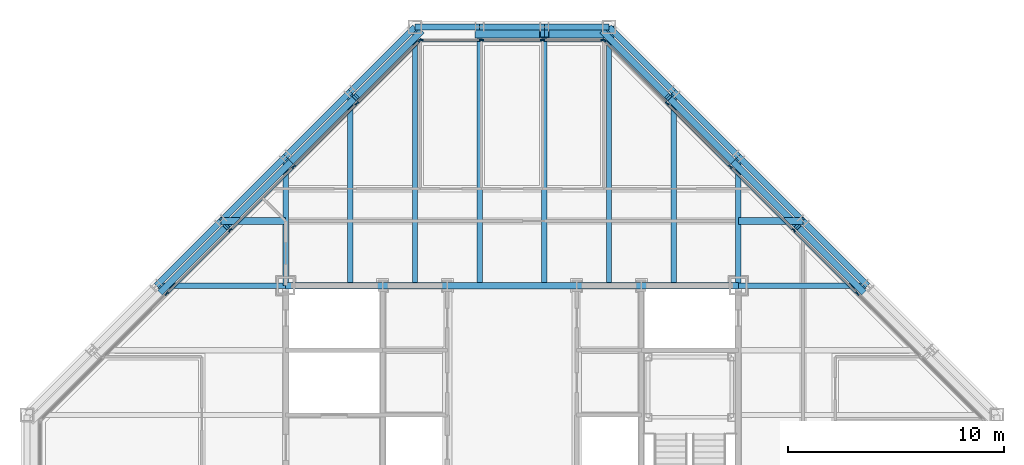
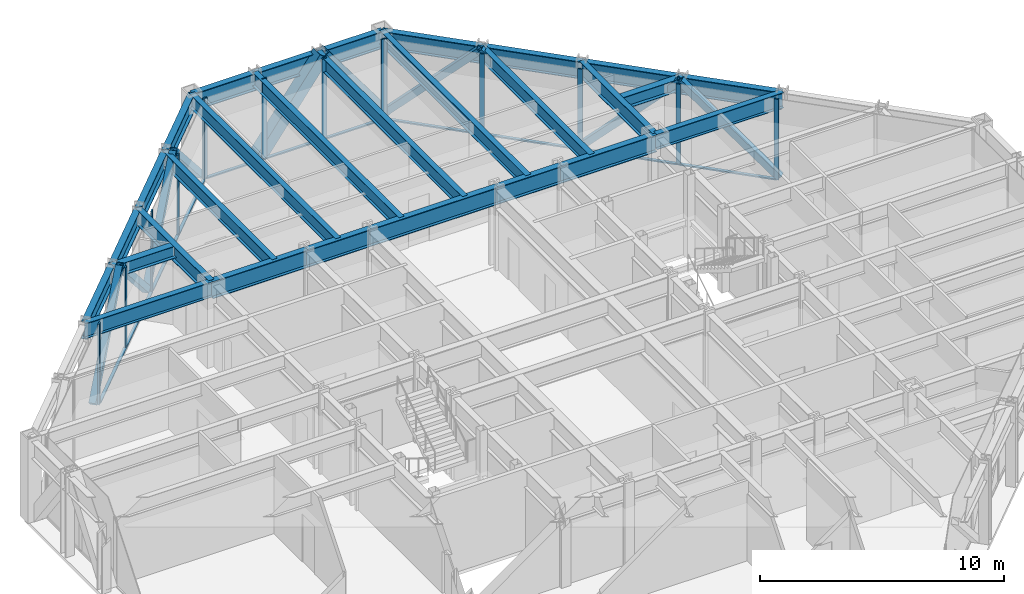
# One storey, part 8 of 15: 35 members, 28 beams, 3 elements without a shape of their own.
"""IFC4 building model written with IfcOpenShell, lengths in metres."""

from ifc_helpers import new_model, si_unit, direction, frame, origin, origin_2d, place, context, subcontext, project, spatial, rectangle, hollow_rectangle, i_section, extrude, material, layer, layer_set, material_profile, profile_set, type_object, element, aggregate, save


model = new_model("IFC4")

# Units and contexts
model_context = context("Model", 3, precision=1e-05, world=origin(), true_north=direction((0.0, 1.0)))
body_context = subcontext(model_context, "Body", "Model", "MODEL_VIEW")
ifc_project = project(units=[si_unit("LENGTHUNIT", "METRE"), si_unit("AREAUNIT", "SQUARE_METRE"), si_unit("VOLUMEUNIT", "CUBIC_METRE"), si_unit("PLANEANGLEUNIT", "RADIAN"), si_unit("MASSUNIT", "GRAM", prefix="KILO")], contexts=[model_context])

# Site, building, storey
site_placement = place(None, origin())
site = spatial("IfcSite", under=ifc_project, at=site_placement, CompositionType="ELEMENT")
building_placement = place(site_placement, origin())
building = spatial("IfcBuilding", under=site, at=building_placement, Name="Chuquiago Exchange Tower", CompositionType="ELEMENT")
storey_placement = place(building_placement, frame((0.0, 0.0, 279.0)))
storey = spatial("IfcBuildingStorey", under=building, at=storey_placement, Name="L62", CompositionType="ELEMENT", Elevation=279.0)

# Beams
ifc_material_1 = material(Name="Steel ASTM A992", Category="steel")
ifc_material_profile_1 = material_profile(ifc_material_1, i_section(OverallWidth=0.25390625, OverallDepth=0.683349609375, WebThickness=0.012451171875, FlangeThickness=0.018798828125, at=origin_2d()), Name="W27X94")
ifc_profile_set_1 = profile_set([ifc_material_profile_1], Name="Steel ASTM A992")
beam_type_1 = type_object("IfcBeamType", Name="B1 W27X94", PredefinedType="BEAM", material=ifc_profile_set_1)
beam_1_placement = place(storey_placement, frame((15.0, 33.0, 3.698486328125), z_axis=(0.0, 1.0, 0.0), x_axis=(-1.0, 0.0, 0.0)))
element("IfcBeam", 1, at=beam_1_placement, inside=storey, type_object=beam_type_1, Name="FB-L63-infill-15_33-15_42-0", PredefinedType="BEAM", context=body_context, shape_type="SweptSolid", body=[
    extrude(i_section(OverallWidth=0.25390625, OverallDepth=0.683349609375, WebThickness=0.012451171875, FlangeThickness=0.018798828125, at=origin_2d()), origin(), (0.0, 0.0, 1.0), 9.0),
])
for number, where, z_axis, x_axis, name in (
    (2, (18.0, 33.0, 3.698486328125), (0.0, 1.0, 0.0), (-1.0, 0.0, 0.0), "FB-L63-infill-18_33-18_45-0"),
    (3, (21.0, 33.0, 3.698486328125), (0.0, 1.0, 0.0), (-1.0, 0.0, 0.0), "FB-L63-infill-21_33-21_45-0"),
    (4, (24.0, 33.0, 3.698486328125), (0.0, 1.0, 0.0), (-1.0, 0.0, 0.0), "FB-L63-infill-24_33-24_45-0"),
    (5, (27.0, 33.0, 3.698486328125), (0.0, 1.0, 0.0), (-1.0, 0.0, 0.0), "FB-L63-infill-27_33-27_45-0"),
):
    element("IfcBeam", number, at=place(storey_placement, frame(where, z_axis=z_axis, x_axis=x_axis)), inside=storey, type_object=beam_type_1, Name=name, PredefinedType="BEAM", context=body_context, shape_type="SweptSolid", body=[
        extrude(i_section(OverallWidth=0.25390625, OverallDepth=0.683349609375, WebThickness=0.012451171875, FlangeThickness=0.018798828125, at=origin_2d()), origin(), (0.0, 0.0, 1.0), 12.0),
    ])
beam_2_placement = place(storey_placement, frame((30.0, 33.0, 3.698486328125), z_axis=(0.0, 1.0, 0.0), x_axis=(-1.0, 0.0, 0.0)))
element("IfcBeam", 6, at=beam_2_placement, inside=storey, type_object=beam_type_1, Name="FB-L63-infill-30_33-30_42-0", PredefinedType="BEAM", context=body_context, shape_type="SweptSolid", body=[
    extrude(i_section(OverallWidth=0.25390625, OverallDepth=0.683349609375, WebThickness=0.012451171875, FlangeThickness=0.018798828125, at=origin_2d()), origin(), (0.0, 0.0, 1.0), 9.0),
])
ifc_material_2 = material(Name="Steel ASTM A992", Category="steel")
ifc_material_profile_2 = material_profile(ifc_material_2, i_section(OverallWidth=0.3251953125, OverallDepth=0.612060546875, WebThickness=0.0126953125, FlangeThickness=0.01904296875, at=origin_2d()), Name="W24X104")
ifc_profile_set_2 = profile_set([ifc_material_profile_2], Name="Steel ASTM A992")
beam_type_2 = type_object("IfcBeamType", Name="B2 W24X104", PredefinedType="BEAM", material=ifc_profile_set_2)
for number, where, z_axis, x_axis, name in (
    (7, (12.0, 36.0, 3.73388671875), (-1.0, 0.0, 0.0), (0.0, -1.0, 0.0), "FB-L63-corner-12_36-9_36-0"),
    (8, (33.0, 36.0, 3.73388671875), (1.0, 0.0, 0.0), (0.0, 1.0, 0.0), "FB-L63-corner-33_36-36_36-0"),
):
    element("IfcBeam", number, at=place(storey_placement, frame(where, z_axis=z_axis, x_axis=x_axis)), inside=storey, type_object=beam_type_2, Name=name, PredefinedType="BEAM", context=body_context, shape_type="SweptSolid", body=[
        extrude(i_section(OverallWidth=0.3251953125, OverallDepth=0.612060546875, WebThickness=0.0126953125, FlangeThickness=0.01904296875, at=origin_2d()), origin(), (0.0, 0.0, 1.0), 3.0),
    ])
ifc_material_3 = material(Name="Steel ASTM A992", Category="steel")
ifc_material_profile_3 = material_profile(ifc_material_3, i_section(OverallWidth=0.2919921875, OverallDepth=0.8583984375, WebThickness=0.01708984375, FlangeThickness=0.031005859375, at=origin_2d()), Name="W33X169")
ifc_profile_set_3 = profile_set([ifc_material_profile_3], Name="Steel ASTM A992")
beam_type_3 = type_object("IfcBeamType", Name="B3 W33X169", PredefinedType="BEAM", material=ifc_profile_set_3)
beam_3_placement = place(storey_placement, frame((12.0, 33.0, 3.610595703125), z_axis=(1.0, 0.0, 0.0), x_axis=(0.0, 1.0, 0.0)))
element("IfcBeam", 9, at=beam_3_placement, inside=storey, type_object=beam_type_3, Name="CB-L63-12_33-16.5_33", PredefinedType="BEAM", context=body_context, shape_type="SweptSolid", body=[
    extrude(i_section(OverallWidth=0.2919921875, OverallDepth=0.8583984375, WebThickness=0.01708984375, FlangeThickness=0.031005859375, at=origin_2d()), origin(), (0.0, 0.0, 1.0), 4.5),
])
beam_4_placement = place(storey_placement, frame((16.5, 33.0, 3.610595703125), z_axis=(1.0, 0.0, 0.0), x_axis=(0.0, 1.0, 0.0)))
element("IfcBeam", 10, at=beam_4_placement, inside=storey, type_object=beam_type_3, Name="CB-L63-16.5_33-19.5_33", PredefinedType="BEAM", context=body_context, shape_type="SweptSolid", body=[
    extrude(i_section(OverallWidth=0.2919921875, OverallDepth=0.8583984375, WebThickness=0.01708984375, FlangeThickness=0.031005859375, at=origin_2d()), origin(), (0.0, 0.0, 1.0), 3.0),
])
beam_5_placement = place(storey_placement, frame((19.5, 33.0, 3.610595703125), z_axis=(1.0, 0.0, 0.0), x_axis=(0.0, 1.0, 0.0)))
element("IfcBeam", 11, at=beam_5_placement, inside=storey, type_object=beam_type_3, Name="CB-L63-19.5_33-25.5_33", PredefinedType="BEAM", context=body_context, shape_type="SweptSolid", body=[
    extrude(i_section(OverallWidth=0.2919921875, OverallDepth=0.8583984375, WebThickness=0.01708984375, FlangeThickness=0.031005859375, at=origin_2d()), origin(), (0.0, 0.0, 1.0), 6.0),
])
beam_6_placement = place(storey_placement, frame((25.5, 33.0, 3.610595703125), z_axis=(1.0, 0.0, 0.0), x_axis=(0.0, 1.0, 0.0)))
element("IfcBeam", 12, at=beam_6_placement, inside=storey, type_object=beam_type_3, Name="CB-L63-25.5_33-28.5_33", PredefinedType="BEAM", context=body_context, shape_type="SweptSolid", body=[
    extrude(i_section(OverallWidth=0.2919921875, OverallDepth=0.8583984375, WebThickness=0.01708984375, FlangeThickness=0.031005859375, at=origin_2d()), origin(), (0.0, 0.0, 1.0), 3.0),
])
beam_7_placement = place(storey_placement, frame((28.5, 33.0, 3.610595703125), z_axis=(1.0, 0.0, 0.0), x_axis=(0.0, 1.0, 0.0)))
element("IfcBeam", 13, at=beam_7_placement, inside=storey, type_object=beam_type_3, Name="CB-L63-28.5_33-33_33", PredefinedType="BEAM", context=body_context, shape_type="SweptSolid", body=[
    extrude(i_section(OverallWidth=0.2919921875, OverallDepth=0.8583984375, WebThickness=0.01708984375, FlangeThickness=0.031005859375, at=origin_2d()), origin(), (0.0, 0.0, 1.0), 4.5),
])

# Curtain wall, members
ifc_material_4 = material(Name="Aluminium curtain wall system", Category="aluminium")
ifc_layer_1 = layer(ifc_material_4, 0.22509765625)
ifc_layer_set_1 = layer_set([ifc_layer_1], Name="CW2 office curtain wall")
curtain_wall_type_1 = type_object("IfcCurtainWallType", Name="CW2 office curtain wall", PredefinedType="NOTDEFINED", material=ifc_layer_set_1)
curtain_wall_1_placement = place(storey_placement, origin())
curtain_wall_1 = element("IfcCurtainWall", 14, at=curtain_wall_1_placement, inside=storey, type_object=curtain_wall_type_1, Name="CW2 curtain wall L62", PredefinedType="NOTDEFINED")
ifc_material_5 = material(Name="Aluminium mullion, pale anodised", Category="aluminium")
ifc_material_profile_4 = material_profile(ifc_material_5, rectangle(XDim=0.06494140625, YDim=0.22509765625, at=origin_2d()), Name="AL 65x225")
ifc_profile_set_4 = profile_set([ifc_material_profile_4], Name="Aluminium mullion, pale anodised")
member_type_1 = type_object("IfcMemberType", Name="CW2-M mullion 65x225", PredefinedType="MULLION", material=ifc_profile_set_4)
member_1_placement = place(storey_placement, frame((26.718994140625, 44.39990234375, 0.0), z_axis=(0.0, 0.0, 1.0), x_axis=(0.0, -1.0, 0.0)))
member_1 = element("IfcMember", 15, at=member_1_placement, type_object=member_type_1, Name="CW2 mullion 1", PredefinedType="MULLION", context=body_context, shape_type="SweptSolid", body=[
    extrude(rectangle(XDim=0.06494140625, YDim=0.22509765625, at=origin_2d()), origin(), (0.0, 0.0, 1.0), 4.0400390625),
])
member_2_placement = place(storey_placement, frame((23.917236328125, 44.39990234375, 0.0), z_axis=(0.0, 0.0, 1.0), x_axis=(0.0, -1.0, 0.0)))
member_2 = element("IfcMember", 16, at=member_2_placement, type_object=member_type_1, Name="CW2 mullion 2", PredefinedType="MULLION", context=body_context, shape_type="SweptSolid", body=[
    extrude(rectangle(XDim=0.06494140625, YDim=0.22509765625, at=origin_2d()), origin(), (0.0, 0.0, 1.0), 4.0400390625),
])
member_3_placement = place(storey_placement, frame((21.082763671875, 44.39990234375, 0.0), z_axis=(0.0, 0.0, 1.0), x_axis=(0.0, -1.0, 0.0)))
member_3 = element("IfcMember", 17, at=member_3_placement, type_object=member_type_1, Name="CW2 mullion 3", PredefinedType="MULLION", context=body_context, shape_type="SweptSolid", body=[
    extrude(rectangle(XDim=0.06494140625, YDim=0.22509765625, at=origin_2d()), origin(), (0.0, 0.0, 1.0), 4.0400390625),
])
member_4_placement = place(storey_placement, frame((18.281005859375, 44.39990234375, 0.0), z_axis=(0.0, 0.0, 1.0), x_axis=(0.0, -1.0, 0.0)))
member_4 = element("IfcMember", 18, at=member_4_placement, type_object=member_type_1, Name="CW2 mullion 4", PredefinedType="MULLION", context=body_context, shape_type="SweptSolid", body=[
    extrude(rectangle(XDim=0.06494140625, YDim=0.22509765625, at=origin_2d()), origin(), (0.0, 0.0, 1.0), 4.0400390625),
])
ifc_material_6 = material(Name="Aluminium transom, pale anodised", Category="aluminium")
ifc_material_profile_5 = material_profile(ifc_material_6, rectangle(XDim=0.139892578125, YDim=0.06494140625, at=origin_2d()), Name="AL 140x65")
ifc_profile_set_5 = profile_set([ifc_material_profile_5], Name="Aluminium transom, pale anodised")
member_type_2 = type_object("IfcMemberType", Name="CW2-T transom 65x140", PredefinedType="MULLION", material=ifc_profile_set_5)
member_5_placement = place(storey_placement, frame((26.6865234375, 44.39990234375, 0.032470703125), z_axis=(-1.0, 0.0, 0.0), x_axis=(0.0, -1.0, 0.0)))
member_5 = element("IfcMember", 19, at=member_5_placement, type_object=member_type_2, Name="CW2 transom 1.1", PredefinedType="MULLION", context=body_context, shape_type="SweptSolid", body=[
    extrude(rectangle(XDim=0.139892578125, YDim=0.06494140625, at=origin_2d()), origin(), (0.0, 0.0, 1.0), 2.73681640625),
])
member_6_placement = place(storey_placement, frame((23.884765625, 44.39990234375, 0.032470703125), z_axis=(-1.0, 0.0, 0.0), x_axis=(0.0, -1.0, 0.0)))
member_6 = element("IfcMember", 20, at=member_6_placement, type_object=member_type_2, Name="CW2 transom 2.1", PredefinedType="MULLION", context=body_context, shape_type="SweptSolid", body=[
    extrude(rectangle(XDim=0.139892578125, YDim=0.06494140625, at=origin_2d()), origin(), (0.0, 0.0, 1.0), 2.76953125),
])
member_7_placement = place(storey_placement, frame((21.05029296875, 44.39990234375, 0.032470703125), z_axis=(-1.0, 0.0, 0.0), x_axis=(0.0, -1.0, 0.0)))
member_7 = element("IfcMember", 21, at=member_7_placement, type_object=member_type_2, Name="CW2 transom 3.1", PredefinedType="MULLION", context=body_context, shape_type="SweptSolid", body=[
    extrude(rectangle(XDim=0.139892578125, YDim=0.06494140625, at=origin_2d()), origin(), (0.0, 0.0, 1.0), 2.73681640625),
])
aggregate(curtain_wall_1, [member_1, member_2, member_3, member_4, member_5, member_6, member_7])

ifc_material_7 = material(Name="Aluminium curtain wall system", Category="aluminium")
ifc_layer_2 = layer(ifc_material_7, 0.199951171875)
ifc_layer_set_2 = layer_set([ifc_layer_2], Name="CW3 facet curtain wall")
curtain_wall_type_2 = type_object("IfcCurtainWallType", Name="CW3 facet curtain wall", PredefinedType="NOTDEFINED", material=ifc_layer_set_2)
curtain_wall_2_placement = place(storey_placement, origin())
curtain_wall_2 = element("IfcCurtainWall", 22, at=curtain_wall_2_placement, inside=storey, type_object=curtain_wall_type_2, Name="CW3 curtain wall L62", PredefinedType="NOTDEFINED")
ifc_material_8 = material(Name="Aluminium mullion, pale anodised", Category="aluminium")
ifc_material_profile_6 = material_profile(ifc_material_8, rectangle(XDim=0.06494140625, YDim=0.199951171875, at=origin_2d()), Name="AL 65x200")
ifc_profile_set_6 = profile_set([ifc_material_profile_6], Name="Aluminium mullion, pale anodised")
member_type_3 = type_object("IfcMemberType", Name="CW3-M mullion 65x200", PredefinedType="MULLION", material=ifc_profile_set_6)
member_8_placement = place(storey_placement, frame((38.51708984375, 32.63427734375, 0.0), z_axis=(0.0, 0.0, 1.0), x_axis=(-0.707106781187, -0.707106781187, 0.0)))
member_8 = element("IfcMember", 23, at=member_8_placement, type_object=member_type_3, Name="CW3 mullion 3", PredefinedType="MULLION", context=body_context, shape_type="SweptSolid", body=[
    extrude(rectangle(XDim=0.06494140625, YDim=0.199951171875, at=origin_2d()), origin(), (0.0, 0.0, 1.0), 4.0400390625),
])
member_9_placement = place(storey_placement, frame((35.57568359375, 35.57568359375, 0.0), z_axis=(0.0, 0.0, 1.0), x_axis=(-0.707106781187, -0.707106781187, 0.0)))
member_9 = element("IfcMember", 24, at=member_9_placement, type_object=member_type_3, Name="CW3 mullion 4", PredefinedType="MULLION", context=body_context, shape_type="SweptSolid", body=[
    extrude(rectangle(XDim=0.06494140625, YDim=0.199951171875, at=origin_2d()), origin(), (0.0, 0.0, 1.0), 4.0400390625),
])
member_10_placement = place(storey_placement, frame((32.63427734375, 38.51708984375, 0.0), z_axis=(0.0, 0.0, 1.0), x_axis=(-0.707106781187, -0.707106781187, 0.0)))
member_10 = element("IfcMember", 25, at=member_10_placement, type_object=member_type_3, Name="CW3 mullion 5", PredefinedType="MULLION", context=body_context, shape_type="SweptSolid", body=[
    extrude(rectangle(XDim=0.06494140625, YDim=0.199951171875, at=origin_2d()), origin(), (0.0, 0.0, 1.0), 4.0400390625),
])
member_11_placement = place(storey_placement, frame((29.69287109375, 41.45849609375, 0.0), z_axis=(0.0, 0.0, 1.0), x_axis=(-0.707106781187, -0.707106781187, 0.0)))
member_11 = element("IfcMember", 26, at=member_11_placement, type_object=member_type_3, Name="CW3 mullion 6", PredefinedType="MULLION", context=body_context, shape_type="SweptSolid", body=[
    extrude(rectangle(XDim=0.06494140625, YDim=0.199951171875, at=origin_2d()), origin(), (0.0, 0.0, 1.0), 4.0400390625),
])
member_12_placement = place(storey_placement, frame((26.7744140625, 44.376953125, 0.0), z_axis=(0.0, 0.0, 1.0), x_axis=(-0.707106781187, -0.707106781187, 0.0)))
member_12 = element("IfcMember", 27, at=member_12_placement, type_object=member_type_3, Name="CW3 mullion 7", PredefinedType="MULLION", context=body_context, shape_type="SweptSolid", body=[
    extrude(rectangle(XDim=0.06494140625, YDim=0.199951171875, at=origin_2d()), origin(), (0.0, 0.0, 1.0), 4.0400390625),
])

curtain_wall_3_placement = place(storey_placement, origin())
curtain_wall_3 = element("IfcCurtainWall", 28, at=curtain_wall_3_placement, inside=storey, type_object=curtain_wall_type_2, Name="CW3 curtain wall L62", PredefinedType="NOTDEFINED")
member_13_placement = place(storey_placement, frame((18.2255859375, 44.376953125, 0.0), z_axis=(0.0, 0.0, 1.0), x_axis=(0.707106781187, -0.707106781187, 0.0)))
member_13 = element("IfcMember", 29, at=member_13_placement, type_object=member_type_3, Name="CW3 mullion 1", PredefinedType="MULLION", context=body_context, shape_type="SweptSolid", body=[
    extrude(rectangle(XDim=0.06494140625, YDim=0.199951171875, at=origin_2d()), origin(), (0.0, 0.0, 1.0), 4.0400390625),
])
member_14_placement = place(storey_placement, frame((15.30712890625, 41.45849609375, 0.0), z_axis=(0.0, 0.0, 1.0), x_axis=(0.707106781187, -0.707106781187, 0.0)))
member_14 = element("IfcMember", 30, at=member_14_placement, type_object=member_type_3, Name="CW3 mullion 2", PredefinedType="MULLION", context=body_context, shape_type="SweptSolid", body=[
    extrude(rectangle(XDim=0.06494140625, YDim=0.199951171875, at=origin_2d()), origin(), (0.0, 0.0, 1.0), 4.0400390625),
])
member_15_placement = place(storey_placement, frame((12.36572265625, 38.51708984375, 0.0), z_axis=(0.0, 0.0, 1.0), x_axis=(0.707106781187, -0.707106781187, 0.0)))
member_15 = element("IfcMember", 31, at=member_15_placement, type_object=member_type_3, Name="CW3 mullion 3", PredefinedType="MULLION", context=body_context, shape_type="SweptSolid", body=[
    extrude(rectangle(XDim=0.06494140625, YDim=0.199951171875, at=origin_2d()), origin(), (0.0, 0.0, 1.0), 4.0400390625),
])
member_16_placement = place(storey_placement, frame((9.42431640625, 35.57568359375, 0.0), z_axis=(0.0, 0.0, 1.0), x_axis=(0.707106781187, -0.707106781187, 0.0)))
member_16 = element("IfcMember", 32, at=member_16_placement, type_object=member_type_3, Name="CW3 mullion 4", PredefinedType="MULLION", context=body_context, shape_type="SweptSolid", body=[
    extrude(rectangle(XDim=0.06494140625, YDim=0.199951171875, at=origin_2d()), origin(), (0.0, 0.0, 1.0), 4.0400390625),
])
member_17_placement = place(storey_placement, frame((6.48291015625, 32.63427734375, 0.0), z_axis=(0.0, 0.0, 1.0), x_axis=(0.707106781187, -0.707106781187, 0.0)))
member_17 = element("IfcMember", 33, at=member_17_placement, type_object=member_type_3, Name="CW3 mullion 5", PredefinedType="MULLION", context=body_context, shape_type="SweptSolid", body=[
    extrude(rectangle(XDim=0.06494140625, YDim=0.199951171875, at=origin_2d()), origin(), (0.0, 0.0, 1.0), 4.0400390625),
])

# Member
ifc_material_9 = material(Name="Aluminium transom, pale anodised", Category="aluminium")
ifc_material_profile_7 = material_profile(ifc_material_9, rectangle(XDim=0.139892578125, YDim=0.06494140625, at=origin_2d()), Name="AL 140x65")
ifc_profile_set_7 = profile_set([ifc_material_profile_7], Name="Aluminium transom, pale anodised")
member_type_4 = type_object("IfcMemberType", Name="CW3-T transom 65x140", PredefinedType="MULLION", material=ifc_profile_set_7)
member_18_placement = place(storey_placement, frame((38.494140625, 32.6572265625, 0.032470703125), z_axis=(-0.707106781187, 0.707106781187, 0.0), x_axis=(-0.707106781187, -0.707106781187, 0.0)))
member_18 = element("IfcMember", 34, at=member_18_placement, type_object=member_type_4, Name="CW3 transom 3.1", PredefinedType="MULLION", context=body_context, shape_type="SweptSolid", body=[
    extrude(rectangle(XDim=0.139892578125, YDim=0.06494140625, at=origin_2d()), origin(), (0.0, 0.0, 1.0), 4.094970703125),
])

member_19_placement = place(storey_placement, frame((35.552734375, 35.5986328125, 0.032470703125), z_axis=(-0.707106781187, 0.707106781187, 0.0), x_axis=(-0.707106781187, -0.707106781187, 0.0)))
member_19 = element("IfcMember", 35, at=member_19_placement, type_object=member_type_4, Name="CW3 transom 4.1", PredefinedType="MULLION", context=body_context, shape_type="SweptSolid", body=[
    extrude(rectangle(XDim=0.139892578125, YDim=0.06494140625, at=origin_2d()), origin(), (0.0, 0.0, 1.0), 4.094970703125),
])

member_20_placement = place(storey_placement, frame((32.611328125, 38.5400390625, 0.032470703125), z_axis=(-0.707106781187, 0.707106781187, 0.0), x_axis=(-0.707106781187, -0.707106781187, 0.0)))
member_20 = element("IfcMember", 36, at=member_20_placement, type_object=member_type_4, Name="CW3 transom 5.1", PredefinedType="MULLION", context=body_context, shape_type="SweptSolid", body=[
    extrude(rectangle(XDim=0.139892578125, YDim=0.06494140625, at=origin_2d()), origin(), (0.0, 0.0, 1.0), 4.094970703125),
])

member_21_placement = place(storey_placement, frame((29.669921875, 41.4814453125, 0.032470703125), z_axis=(-0.707106781187, 0.707106781187, 0.0), x_axis=(-0.707106781187, -0.707106781187, 0.0)))
member_21 = element("IfcMember", 37, at=member_21_placement, type_object=member_type_4, Name="CW3 transom 6.1", PredefinedType="MULLION", context=body_context, shape_type="SweptSolid", body=[
    extrude(rectangle(XDim=0.139892578125, YDim=0.06494140625, at=origin_2d()), origin(), (0.0, 0.0, 1.0), 4.0625),
])

aggregate(curtain_wall_2, [member_8, member_9, member_10, member_11, member_12, member_18, member_19, member_20, member_21])

member_22_placement = place(storey_placement, frame((18.20263671875, 44.35400390625, 0.032470703125), z_axis=(-0.707106781187, -0.707106781187, 0.0), x_axis=(0.707106781187, -0.707106781187, 0.0)))
member_22 = element("IfcMember", 38, at=member_22_placement, type_object=member_type_4, Name="CW3 transom 1.1", PredefinedType="MULLION", context=body_context, shape_type="SweptSolid", body=[
    extrude(rectangle(XDim=0.139892578125, YDim=0.06494140625, at=origin_2d()), origin(), (0.0, 0.0, 1.0), 4.0625),
])

member_23_placement = place(storey_placement, frame((15.2841796875, 41.435546875, 0.032470703125), z_axis=(-0.707106781187, -0.707106781187, 0.0), x_axis=(0.707106781187, -0.707106781187, 0.0)))
member_23 = element("IfcMember", 39, at=member_23_placement, type_object=member_type_4, Name="CW3 transom 2.1", PredefinedType="MULLION", context=body_context, shape_type="SweptSolid", body=[
    extrude(rectangle(XDim=0.139892578125, YDim=0.06494140625, at=origin_2d()), origin(), (0.0, 0.0, 1.0), 4.094970703125),
])

member_24_placement = place(storey_placement, frame((12.3427734375, 38.494140625, 0.032470703125), z_axis=(-0.707106781187, -0.707106781187, 0.0), x_axis=(0.707106781187, -0.707106781187, 0.0)))
member_24 = element("IfcMember", 40, at=member_24_placement, type_object=member_type_4, Name="CW3 transom 3.1", PredefinedType="MULLION", context=body_context, shape_type="SweptSolid", body=[
    extrude(rectangle(XDim=0.139892578125, YDim=0.06494140625, at=origin_2d()), origin(), (0.0, 0.0, 1.0), 4.094970703125),
])

member_25_placement = place(storey_placement, frame((9.4013671875, 35.552734375, 0.032470703125), z_axis=(-0.707106781187, -0.707106781187, 0.0), x_axis=(0.707106781187, -0.707106781187, 0.0)))
member_25 = element("IfcMember", 41, at=member_25_placement, type_object=member_type_4, Name="CW3 transom 4.1", PredefinedType="MULLION", context=body_context, shape_type="SweptSolid", body=[
    extrude(rectangle(XDim=0.139892578125, YDim=0.06494140625, at=origin_2d()), origin(), (0.0, 0.0, 1.0), 4.094970703125),
])

aggregate(curtain_wall_3, [member_13, member_14, member_15, member_16, member_17, member_22, member_23, member_24, member_25])

# Beams
ifc_material_10 = material(Name="Steel ASTM A992", Category="steel")
ifc_material_profile_8 = material_profile(ifc_material_10, i_section(OverallWidth=0.2666015625, OverallDepth=0.76953125, WebThickness=0.015625, FlangeThickness=0.025390625, at=origin_2d()), Name="W30X132")
ifc_profile_set_8 = profile_set([ifc_material_profile_8], Name="Steel ASTM A992")
beam_type_4 = type_object("IfcBeamType", Name="G1 W30X132", PredefinedType="BEAM", material=ifc_profile_set_8)
for number, where, z_axis, x_axis, name in (
    (42, (12.0, 33.0, 3.6552734375), (0.0, 1.0, 0.0), (-1.0, 0.0, 0.0), "FB-L63-girder-12_33-12_39-0"),
    (43, (33.0, 33.0, 3.6552734375), (0.0, 1.0, 0.0), (-1.0, 0.0, 0.0), "FB-L63-girder-33_33-33_39-0"),
    (44, (33.0, 33.0, 3.6552734375), (1.0, 0.0, 0.0), (0.0, 1.0, 0.0), "FB-L63-girder-33_33-39_33-0"),
    (45, (12.0, 33.0, 3.6552734375), (-1.0, 0.0, 0.0), (0.0, -1.0, 0.0), "FB-L63-girder-12_33-6_33-0"),
):
    element("IfcBeam", number, at=place(storey_placement, frame(where, z_axis=z_axis, x_axis=x_axis)), inside=storey, type_object=beam_type_4, Name=name, PredefinedType="BEAM", context=body_context, shape_type="SweptSolid", body=[
        extrude(i_section(OverallWidth=0.2666015625, OverallDepth=0.76953125, WebThickness=0.015625, FlangeThickness=0.025390625, at=origin_2d()), origin(), (0.0, 0.0, 1.0), 6.0),
    ])

# Members
ifc_material_11 = material(Name="Steel ASTM A500 Grade C", Category="steel")
ifc_material_profile_9 = material_profile(ifc_material_11, hollow_rectangle(XDim=0.3046875, YDim=0.3046875, WallThickness=0.0146484375, at=origin_2d()), Name="HSS12X12X5/8")
ifc_profile_set_9 = profile_set([ifc_material_profile_9], Name="Steel ASTM A500 Grade C")
member_type_5 = type_object("IfcMemberType", Name="LB3 HSS12X12X5/8", PredefinedType="BRACE", material=ifc_profile_set_9)
for number, where, z_axis, x_axis, name in (
    (46, (38.750732421875, 32.750732421875, 0.0), (-0.512077265487, 0.512077265487, 0.689604051861), (-0.707106781187, -0.707106781187, 0.0), "LB-L62-39_33-36_36"),
    (47, (32.750732421875, 38.750732421875, 0.0), (0.512077265487, -0.512077265487, 0.689604051861), (0.707106781187, 0.707106781187, 0.0), "LB-L62-36_36-33_39"),
    (48, (32.750732421875, 38.750732421875, 0.0), (-0.512077265487, 0.512077265487, 0.689604051861), (-0.707106781187, -0.707106781187, 0.0), "LB-L62-33_39-30_42"),
    (49, (26.750732421875, 44.750732421875, 0.0), (0.512077265487, -0.512077265487, 0.689604051861), (0.707106781187, 0.707106781187, 0.0), "LB-L62-30_42-27_45"),
    (50, (18.249267578125, 44.750732421875, 0.0), (-0.512077265487, -0.512077265487, 0.689604051861), (0.707106781187, -0.707106781187, 0.0), "LB-L62-18_45-15_42"),
    (51, (12.249267578125, 38.750732421875, 0.0), (0.512077265487, 0.512077265487, 0.689604051861), (-0.707106781187, 0.707106781187, 0.0), "LB-L62-15_42-12_39"),
    (52, (12.249267578125, 38.750732421875, 0.0), (-0.512077265487, -0.512077265487, 0.689604051861), (0.707106781187, -0.707106781187, 0.0), "LB-L62-12_39-9_36"),
    (53, (6.249267578125, 32.750732421875, 0.0), (0.512077265487, 0.512077265487, 0.689604051861), (-0.707106781187, 0.707106781187, 0.0), "LB-L62-9_36-6_33"),
):
    element("IfcMember", number, at=place(storey_placement, frame(where, z_axis=z_axis, x_axis=x_axis)), inside=storey, type_object=member_type_5, Name=name, PredefinedType="BRACE", context=body_context, shape_type="SweptSolid", body=[
        extrude(hollow_rectangle(XDim=0.3046875, YDim=0.3046875, WallThickness=0.0146484375, at=origin_2d()), origin(), (0.0, 0.0, 1.0), 5.8583984375),
    ])
ifc_material_12 = material(Name="Steel ASTM A572 Grade 50", Category="steel")
ifc_material_profile_10 = material_profile(ifc_material_12, hollow_rectangle(XDim=0.550048828125, YDim=0.550048828125, WallThickness=0.044921875, at=origin_2d()), Name="BOX550X550X45")
ifc_profile_set_10 = profile_set([ifc_material_profile_10], Name="Steel ASTM A572 Grade 50")
member_type_6 = type_object("IfcMemberType", Name="MB4 BOX550X550X45", PredefinedType="BRACE", material=ifc_profile_set_10)
for number, where, z_axis, x_axis, name in (
    (54, (27.0, 44.77001953125, 0.0), (-0.596173923302, 0.0, 0.802855312728), (0.0, -1.0, 0.0), "Mega diagonal L62 N face"),
    (55, (21.0, 44.77001953125, 0.0), (0.596173923302, 0.0, 0.802855312728), (0.0, 1.0, 0.0), "Mega diagonal L62 N face"),
):
    element("IfcMember", number, at=place(storey_placement, frame(where, z_axis=z_axis, x_axis=x_axis)), inside=storey, type_object=member_type_6, Name=name, PredefinedType="BRACE", context=body_context, shape_type="SweptSolid", body=[
        extrude(hollow_rectangle(XDim=0.550048828125, YDim=0.550048828125, WallThickness=0.044921875, at=origin_2d()), origin(), (0.0, 0.0, 1.0), 5.031982421875),
    ])

# Beams
ifc_material_13 = material(Name="Steel ASTM A992", Category="steel")
ifc_material_profile_11 = material_profile(ifc_material_13, i_section(OverallWidth=0.2919921875, OverallDepth=0.8583984375, WebThickness=0.01708984375, FlangeThickness=0.031005859375, at=origin_2d()), Name="W33X169")
ifc_profile_set_11 = profile_set([ifc_material_profile_11], Name="Steel ASTM A992")
beam_type_5 = type_object("IfcBeamType", Name="SP4 W33X169", PredefinedType="SPANDREL", material=ifc_profile_set_11)
for number, where, z_axis, x_axis, name in (
    (56, (39.0, 33.0, 3.610595703125), (-0.707106781187, 0.707106781187, 0.0), (-0.707106781187, -0.707106781187, 0.0), "SPB-L63-39_33-36_36"),
    (57, (36.0, 36.0, 3.610595703125), (-0.707106781187, 0.707106781187, 0.0), (-0.707106781187, -0.707106781187, 0.0), "SPB-L63-36_36-33_39"),
    (58, (33.0, 39.0, 3.610595703125), (-0.707106781187, 0.707106781187, 0.0), (-0.707106781187, -0.707106781187, 0.0), "SPB-L63-33_39-30_42"),
    (59, (30.0, 42.0, 3.610595703125), (-0.707106781187, 0.707106781187, 0.0), (-0.707106781187, -0.707106781187, 0.0), "SPB-L63-30_42-27_45"),
):
    element("IfcBeam", number, at=place(storey_placement, frame(where, z_axis=z_axis, x_axis=x_axis)), inside=storey, type_object=beam_type_5, Name=name, PredefinedType="SPANDREL", context=body_context, shape_type="SweptSolid", body=[
        extrude(i_section(OverallWidth=0.2919921875, OverallDepth=0.8583984375, WebThickness=0.01708984375, FlangeThickness=0.031005859375, at=origin_2d()), origin(), (0.0, 0.0, 1.0), 4.24267578125),
    ])
for number, where, z_axis, x_axis, name in (
    (60, (27.0, 45.0, 3.610595703125), (-1.0, 0.0, 0.0), (0.0, -1.0, 0.0), "SPB-L63-27_45-24_45"),
    (61, (24.0, 45.0, 3.610595703125), (-1.0, 0.0, 0.0), (0.0, -1.0, 0.0), "SPB-L63-24_45-21_45"),
    (62, (21.0, 45.0, 3.610595703125), (-1.0, 0.0, 0.0), (0.0, -1.0, 0.0), "SPB-L63-21_45-18_45"),
):
    element("IfcBeam", number, at=place(storey_placement, frame(where, z_axis=z_axis, x_axis=x_axis)), inside=storey, type_object=beam_type_5, Name=name, PredefinedType="SPANDREL", context=body_context, shape_type="SweptSolid", body=[
        extrude(i_section(OverallWidth=0.2919921875, OverallDepth=0.8583984375, WebThickness=0.01708984375, FlangeThickness=0.031005859375, at=origin_2d()), origin(), (0.0, 0.0, 1.0), 3.0),
    ])
for number, where, z_axis, x_axis, name in (
    (63, (18.0, 45.0, 3.610595703125), (-0.707106781187, -0.707106781187, 0.0), (0.707106781187, -0.707106781187, 0.0), "SPB-L63-18_45-15_42"),
    (64, (15.0, 42.0, 3.610595703125), (-0.707106781187, -0.707106781187, 0.0), (0.707106781187, -0.707106781187, 0.0), "SPB-L63-15_42-12_39"),
    (65, (12.0, 39.0, 3.610595703125), (-0.707106781187, -0.707106781187, 0.0), (0.707106781187, -0.707106781187, 0.0), "SPB-L63-12_39-9_36"),
    (66, (9.0, 36.0, 3.610595703125), (-0.707106781187, -0.707106781187, 0.0), (0.707106781187, -0.707106781187, 0.0), "SPB-L63-9_36-6_33"),
):
    element("IfcBeam", number, at=place(storey_placement, frame(where, z_axis=z_axis, x_axis=x_axis)), inside=storey, type_object=beam_type_5, Name=name, PredefinedType="SPANDREL", context=body_context, shape_type="SweptSolid", body=[
        extrude(i_section(OverallWidth=0.2919921875, OverallDepth=0.8583984375, WebThickness=0.01708984375, FlangeThickness=0.031005859375, at=origin_2d()), origin(), (0.0, 0.0, 1.0), 4.24267578125),
    ])

save(model, "model.ifc")
